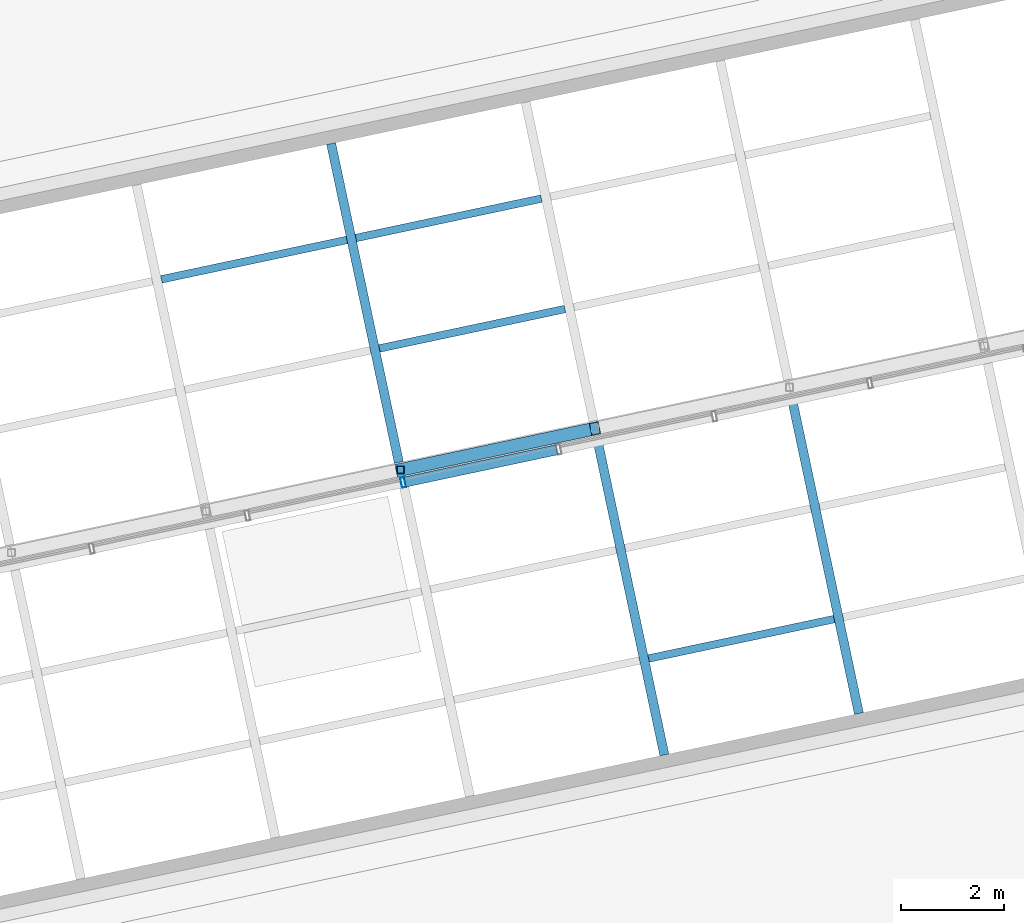
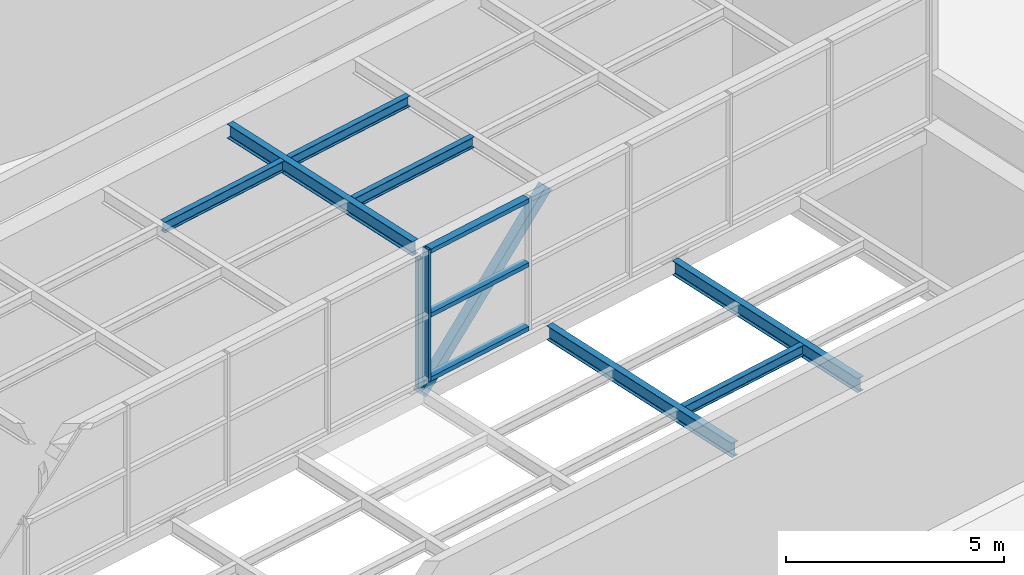
# One storey, part 48 of 72: 10 members, 3 beams, 1 element without a shape of its own.
"""IFC4 building model written with IfcOpenShell, lengths in metres."""

import ifcopenshell
import ifcopenshell.guid

model = None  # the IFC model being written
_history = None  # IfcOwnerHistory: only IFC2X3 demands one
_inside = {}  # id of a spatial element -> (the spatial element, [elements in it])
_under = {}  # id of a project, library or spatial element -> (it, [spatial elements below it])
_declared = {}  # id of a project -> (the project, [libraries it declares])
_typed = {}  # id of a type object -> (the type object, [elements of that type])
_made_of = {}  # id of a material, layer set ... -> (it, [elements and type objects made of it])


def new_model(schema):
    """Start an empty IFC model of exactly this schema.

    Asked for "IFC4X3", IfcOpenShell would pick the latest addendum, in which some entities
    have other attributes; the version numbers below select the first issue.
    IFC2X3 requires an IfcOwnerHistory on every rooted entity: one is made here for all.
    """
    global model, _history
    if schema == "IFC4X3":
        model = ifcopenshell.file(schema_version=(4, 3, 0, 0))
    else:
        model = ifcopenshell.file(schema=schema)
    _inside.clear()
    _under.clear()
    _declared.clear()
    _typed.clear()
    _made_of.clear()
    _history = None
    if model.schema == "IFC2X3":
        org = make("IfcOrganization", Name="unknown")
        user = make(
            "IfcPersonAndOrganization",
            ThePerson=make("IfcPerson", FamilyName="unknown"),
            TheOrganization=org,
        )
        app = make(
            "IfcApplication",
            ApplicationDeveloper=org,
            Version="unknown",
            ApplicationFullName="unknown",
            ApplicationIdentifier="unknown",
        )
        _history = make(
            "IfcOwnerHistory",
            OwningUser=user,
            OwningApplication=app,
            ChangeAction="ADDED",
            CreationDate=0,
        )
    return model


def make(cls, **values):
    """One entity of the class cls with the attributes given. An attribute that is None is left unset."""
    return model.create_entity(
        cls, **{name: value for name, value in values.items() if value is not None}
    )


def rooted(cls, **values):
    """An entity with a GlobalId (a new one), such as an element, a storey or a relation."""
    return make(cls, GlobalId=ifcopenshell.guid.new(), OwnerHistory=_history, **values)


def si_unit(unit_type, name, prefix=None):
    """IfcSIUnit, for example si_unit("LENGTHUNIT", "METRE", prefix="MILLI")."""
    return make("IfcSIUnit", UnitType=unit_type, Prefix=prefix, Name=name)


def assignment(units):
    """IfcUnitAssignment: the units of a project."""
    return None if units is None else make("IfcUnitAssignment", Units=units)


def point(xyz):
    """IfcCartesianPoint."""
    return None if xyz is None else make("IfcCartesianPoint", Coordinates=xyz)


def direction(xyz):
    """IfcDirection."""
    return None if xyz is None else make("IfcDirection", DirectionRatios=xyz)


def frame(location, z_axis=None, x_axis=None):
    """IfcAxis2Placement3D, a coordinate frame: its origin and axes. An axis left out is left unset."""
    return make(
        "IfcAxis2Placement3D",
        Location=point(location),
        Axis=direction(z_axis),
        RefDirection=direction(x_axis),
    )


def frame_2d(location, x_axis=None):
    """IfcAxis2Placement2D, a coordinate frame in the plane: its origin and x axis."""
    return make(
        "IfcAxis2Placement2D", Location=point(location), RefDirection=direction(x_axis)
    )


def origin():
    """The frame at (0, 0, 0) with its axes left unset."""
    return frame((0.0, 0.0, 0.0))


def origin_2d():
    """The frame at (0, 0) in the plane with its x axis left unset."""
    return frame_2d((0.0, 0.0))


def place(relative_to, where):
    """IfcLocalPlacement: puts the frame where relative to a parent placement (None: the world)."""
    return make(
        "IfcLocalPlacement", PlacementRelTo=relative_to, RelativePlacement=where
    )


def context(
    kind, dimensions, precision=None, world=None, true_north=None, identifier=None
):
    """IfcGeometricRepresentationContext, for example the 3D "Model" context."""
    return make(
        "IfcGeometricRepresentationContext",
        ContextIdentifier=identifier,
        ContextType=kind,
        CoordinateSpaceDimension=dimensions,
        Precision=precision,
        WorldCoordinateSystem=world,
        TrueNorth=true_north,
    )


def subcontext(parent, identifier, kind, view, scale=None):
    """IfcGeometricRepresentationSubContext, for example "Body" below "Model"."""
    return make(
        "IfcGeometricRepresentationSubContext",
        ContextIdentifier=identifier,
        ContextType=kind,
        ParentContext=parent,
        TargetScale=scale,
        TargetView=view,
    )


def project(units=None, contexts=None):
    """IfcProject with its units and contexts."""
    return rooted(
        "IfcProject",
        Name="project",
        RepresentationContexts=contexts,
        UnitsInContext=assignment(units),
    )


def spatial(cls, under=None, at=None, **own):
    """A site, building, storey or space (cls), placed at a placement, below another one or the project."""
    s = rooted(cls, ObjectPlacement=at, **own)
    if under is not None:
        _under.setdefault(under.id(), (under, []))[1].append(s)
    return s


def profile(cls, at=None, kind="AREA", **sizes):
    """A parametric profile (cls). Its sizes go by their IFC names, for example OverallWidth=200.0."""
    return make(cls, ProfileType=kind, Position=at, **sizes)


def hollow_rectangle(**sizes):
    """IfcRectangleHollowProfileDef."""
    return profile("IfcRectangleHollowProfileDef", **sizes)


def i_section(**sizes):
    """IfcIShapeProfileDef."""
    return profile("IfcIShapeProfileDef", **sizes)


def extrude(swept, where, along, depth):
    """IfcExtrudedAreaSolid: the profile swept, set in the frame where, extruded along a direction by depth."""
    return make(
        "IfcExtrudedAreaSolid",
        SweptArea=swept,
        Position=where,
        ExtrudedDirection=direction(along),
        Depth=depth,
    )


def shape(context_of_items, identifier, shape_type, items):
    """IfcShapeRepresentation: the items that make up one representation, for example the "Body"."""
    return make(
        "IfcShapeRepresentation",
        ContextOfItems=context_of_items,
        RepresentationIdentifier=identifier,
        RepresentationType=shape_type,
        Items=items,
    )


def material(Name=None, Category=None):
    """IfcMaterial."""
    return make("IfcMaterial", Name=Name, Category=Category)


def layer(
    of_material, thickness, ventilated=None, Name=None, Category=None, Priority=None
):
    """IfcMaterialLayer: one layer of a wall or slab, of a material (None: an air gap)."""
    return make(
        "IfcMaterialLayer",
        Material=of_material,
        LayerThickness=thickness,
        IsVentilated=ventilated,
        Name=Name,
        Category=Category,
        Priority=Priority,
    )


def layer_set(layers, Name=None):
    """IfcMaterialLayerSet."""
    return make("IfcMaterialLayerSet", MaterialLayers=layers, LayerSetName=Name)


def material_profile(
    of_material, cross_section, Name=None, Category=None, Priority=None
):
    """IfcMaterialProfile: a cross section and its material."""
    return make(
        "IfcMaterialProfile",
        Name=Name,
        Material=of_material,
        Profile=cross_section,
        Priority=Priority,
        Category=Category,
    )


def profile_set(profiles, Name=None, composite=None):
    """IfcMaterialProfileSet."""
    return make(
        "IfcMaterialProfileSet",
        Name=Name,
        MaterialProfiles=profiles,
        CompositeProfile=composite,
    )


def made_of(thing, what):
    """Note that an element or type object is made of a material, layer set ...; save() writes the relation."""
    if what is not None:
        _made_of.setdefault(what.id(), (what, []))[1].append(thing)
    return thing


def type_object(cls, material=None, **own):
    """A type object (cls), such as IfcWallType, which elements share."""
    return made_of(rooted(cls, **own), material)


def element(
    cls,
    number,
    at=None,
    inside=None,
    cuts=None,
    type_object=None,
    material=None,
    context=None,
    identifier="Body",
    shape_type=None,
    held_by="IfcProductDefinitionShape",
    body=None,
    shapes=None,
    **own,
):
    """One element of the class cls, such as IfcWall. Its Tag is "e" and its number.

    at: its placement. inside: the storey or other place that contains it. cuts: it is an
    opening in that element (IfcRelVoidsElement). A single representation is given by context,
    identifier, shape_type and body (its items); several are given by shapes. held_by: the class
    of the entity that holds the representations. save() writes the other relations.
    """
    e = rooted(cls, Tag="e%d" % number, ObjectPlacement=at, **own)
    if body is not None:
        shapes = [shape(context, identifier, shape_type, body)]
    if shapes is not None:
        e.Representation = make(held_by, Representations=shapes)
    if inside is not None:
        _inside.setdefault(inside.id(), (inside, []))[1].append(e)
    if cuts is not None:
        rooted(
            "IfcRelVoidsElement", RelatingBuildingElement=cuts, RelatedOpeningElement=e
        )
    if type_object is not None:
        _typed.setdefault(type_object.id(), (type_object, []))[1].append(e)
    return made_of(e, material)


def aggregate(whole, parts):
    """IfcRelAggregates: a whole, such as a stair, and the parts it consists of."""
    return rooted("IfcRelAggregates", RelatingObject=whole, RelatedObjects=parts)


def save(model, path):
    """Write the relations noted so far, then the file.

    IfcRelAggregates (storeys below a building ...), IfcRelContainedInSpatialStructure (elements
    in a storey), IfcRelDefinesByType, IfcRelAssociatesMaterial and IfcRelDeclares: one each for
    every whole, place, type object, material and project.
    """
    for whole, parts in _under.values():
        aggregate(whole, parts)
    for where, things in _inside.values():
        rooted(
            "IfcRelContainedInSpatialStructure",
            RelatedElements=things,
            RelatingStructure=where,
        )
    for kind, things in _typed.values():
        rooted("IfcRelDefinesByType", RelatedObjects=things, RelatingType=kind)
    for what, things in _made_of.values():
        rooted("IfcRelAssociatesMaterial", RelatedObjects=things, RelatingMaterial=what)
    for by, libraries in _declared.values():
        rooted("IfcRelDeclares", RelatingContext=by, RelatedDefinitions=libraries)
    model.write(path)


model = new_model("IFC4")

# Units and contexts
model_context = context("Model", 3, precision=1e-05, world=origin(), true_north=direction((0.0, 1.0)))
body_context = subcontext(model_context, "Body", "Model", "MODEL_VIEW")
ifc_project = project(units=[si_unit("LENGTHUNIT", "METRE"), si_unit("AREAUNIT", "SQUARE_METRE"), si_unit("VOLUMEUNIT", "CUBIC_METRE"), si_unit("PLANEANGLEUNIT", "RADIAN"), si_unit("MASSUNIT", "GRAM", prefix="KILO")], contexts=[model_context])

# Site, building, storey
site_placement = place(None, origin())
site = spatial("IfcSite", under=ifc_project, at=site_placement, CompositionType="ELEMENT")
building_placement = place(site_placement, origin())
building = spatial("IfcBuilding", under=site, at=building_placement, Name="Nzadi Deep Aquarium and Research Tower", CompositionType="ELEMENT")
storey_placement = place(building_placement, frame((0.0, 0.0, 31.89990234375)))
storey = spatial("IfcBuildingStorey", under=building, at=storey_placement, Name="L05", CompositionType="ELEMENT", Elevation=31.89990234375)

# Members
ifc_material_1 = material(Name="Steel S355", Category="steel")
ifc_material_profile_1 = material_profile(ifc_material_1, i_section(OverallWidth=0.14990234375, OverallDepth=0.300048828125, WebThickness=0.007080078125, FlangeThickness=0.0107421875, FilletRadius=0.014892578125, at=origin_2d()))
ifc_profile_set_1 = profile_set([ifc_material_profile_1], Name="Steel S355")
member_type_1 = type_object("IfcMemberType", Name="IPE 300", PredefinedType="PURLIN", material=ifc_profile_set_1)
for number, where, z_axis, x_axis, name in (
    (1, (33.634765625, 109.52490234375, 4.650146484375), (0.978143399265, 0.207931456193, 0.0), (-0.207931456193, 0.978143399265, 0.0), "MB-BL-ROOF-SPU1-5"),
    (2, (28.38916015625, 115.566162109375, 8.650146484375), (0.978143399265, 0.207931456193, 0.0), (-0.207931456193, 0.978143399265, 0.0), "MB-BL-ROOF-NPU1-4"),
    (3, (24.141357421875, 116.91259765625, 8.650146484375), (0.978156835764, 0.207868238673, 0.0), (-0.207868238673, 0.978156835764, 0.0), "MB-BL-ROOF-NPU2-3"),
    (4, (27.931640625, 117.71826171875, 8.650146484375), (0.978156835764, 0.207868238673, 0.0), (-0.207868238673, 0.978156835764, 0.0), "MB-BL-ROOF-NPU2-4"),
):
    element("IfcMember", number, at=place(storey_placement, frame(where, z_axis=z_axis, x_axis=x_axis)), inside=storey, type_object=member_type_1, Name=name, PredefinedType="PURLIN", context=body_context, shape_type="SweptSolid", body=[
        extrude(i_section(OverallWidth=0.14990234375, OverallDepth=0.300048828125, WebThickness=0.007080078125, FlangeThickness=0.0107421875, FilletRadius=0.014892578125, at=origin_2d()), origin(), (0.0, 0.0, 1.0), 3.695068359375),
    ])

# Beams
ifc_material_2 = material(Name="Steel S355", Category="steel")
ifc_material_profile_2 = material_profile(ifc_material_2, i_section(OverallWidth=0.179931640625, OverallDepth=0.39990234375, WebThickness=0.008544921875, FlangeThickness=0.013427734375, FilletRadius=0.02099609375, at=origin_2d()))
ifc_profile_set_2 = profile_set([ifc_material_profile_2], Name="Steel S355")
beam_type = type_object("IfcBeamType", Name="IPE 400", PredefinedType="BEAM", material=ifc_profile_set_2)
for number, where, z_axis, x_axis, name in (
    (5, (28.768798828125, 113.3466796875, 8.60009765625), (-0.207924511115, 0.978144875608, 0.0), (-0.978144875608, -0.207924511115, 0.0), "B-BL-ROOF-H4"),
    (6, (33.941650390625, 107.647705078125, 4.60009765625), (-0.207887725283, 0.978152694459, 0.0), (-0.978152694459, -0.207887725283, 0.0), "B-BL-ROOF-G5"),
    (7, (37.732177734375, 108.453369140625, 4.60009765625), (-0.207924511115, 0.978144875608, 0.0), (-0.978144875608, -0.207924511115, 0.0), "B-BL-ROOF-G6"),
):
    element("IfcBeam", number, at=place(storey_placement, frame(where, z_axis=z_axis, x_axis=x_axis)), inside=storey, type_object=beam_type, Name=name, PredefinedType="BEAM", context=body_context, shape_type="SweptSolid", body=[
        extrude(i_section(OverallWidth=0.179931640625, OverallDepth=0.39990234375, WebThickness=0.008544921875, FlangeThickness=0.013427734375, FilletRadius=0.02099609375, at=origin_2d()), origin(), (0.0, 0.0, 1.0), 6.349853515625),
    ])

# Curtain wall, member
ifc_material_3 = material(Name="Aluminium glazing frame tall", Category="aluminium")
ifc_layer = layer(ifc_material_3, 0.199951171875)
ifc_layer_set = layer_set([ifc_layer], Name="Aluminium glazing frame tall")
curtain_wall_type = type_object("IfcCurtainWallType", Name="Curtain wall Clerestory Tall 200", PredefinedType="NOTDEFINED", material=ifc_layer_set)
curtain_wall_placement = place(storey_placement, origin())
curtain_wall = element("IfcCurtainWall", 8, at=curtain_wall_placement, inside=storey, type_object=curtain_wall_type, Name="Reef blade clerestory glazing", PredefinedType="NOTDEFINED")
ifc_material_4 = material(Name="Aluminium glazing frame tall", Category="aluminium")
ifc_material_profile_3 = material_profile(ifc_material_4, hollow_rectangle(XDim=0.199951171875, YDim=0.080078125, WallThickness=0.0048828125, at=origin_2d()))
ifc_profile_set_3 = profile_set([ifc_material_profile_3], Name="Aluminium glazing frame tall")
member_type_2 = type_object("IfcMemberType", Name="Mullion 80x200 Clerestory Tall", PredefinedType="MULLION", material=ifc_profile_set_3)
member_1_placement = place(storey_placement, frame((28.85205078125, 112.95556640625, 5.10009765625), z_axis=(0.0, 0.0, 1.0), x_axis=(-0.207911690818, 0.978147600734, 0.0)))
member_1 = element("IfcMember", 9, at=member_1_placement, type_object=member_type_2, Name="CW258 mullion 6", PredefinedType="MULLION", context=body_context, shape_type="SweptSolid", body=[
    extrude(hollow_rectangle(XDim=0.199951171875, YDim=0.080078125, WallThickness=0.0048828125, at=origin_2d()), origin(), (0.0, 0.0, 1.0), 3.699951171875),
])

# Members
ifc_material_5 = material(Name="Steel S355", Category="steel")
ifc_material_profile_4 = material_profile(ifc_material_5, hollow_rectangle(XDim=0.14990234375, YDim=0.14990234375, WallThickness=0.008056640625, at=origin_2d()))
ifc_profile_set_4 = profile_set([ifc_material_profile_4], Name="Steel S355")
member_type_3 = type_object("IfcMemberType", Name="RHS 150x150x8 post", PredefinedType="POST", material=ifc_profile_set_4)
member_2_placement = place(storey_placement, frame((28.800048828125, 113.199951171875, 4.800048828125), z_axis=(0.0, 0.0, 1.0), x_axis=(1.0, 0.0, 0.0)))
element("IfcMember", 10, at=member_2_placement, inside=storey, type_object=member_type_3, Name="MB-BL-STEP-V4", PredefinedType="POST", context=body_context, shape_type="SweptSolid", body=[
    extrude(hollow_rectangle(XDim=0.14990234375, YDim=0.14990234375, WallThickness=0.008056640625, at=origin_2d()), origin(), (0.0, 0.0, 1.0), 3.60009765625),
])
ifc_material_6 = material(Name="Steel S355", Category="steel")
ifc_material_profile_5 = material_profile(ifc_material_6, hollow_rectangle(XDim=0.25, YDim=0.25, WallThickness=0.010009765625, at=origin_2d()))
ifc_profile_set_5 = profile_set([ifc_material_profile_5], Name="Steel S355")
member_type_4 = type_object("IfcMemberType", Name="RHS 250x250x10 brace", PredefinedType="BRACE", material=ifc_profile_set_5)
member_3_placement = place(storey_placement, frame((28.800048828125, 113.199951171875, 4.60009765625), z_axis=(0.680586575277, 0.14466574547, 0.718243507204), x_axis=(-0.207915270313, 0.978146839882, 0.0)))
element("IfcMember", 11, at=member_3_placement, inside=storey, type_object=member_type_4, Name="MB-BL-STEP-D5", PredefinedType="BRACE", context=body_context, shape_type="SweptSolid", body=[
    extrude(hollow_rectangle(XDim=0.25, YDim=0.25, WallThickness=0.010009765625, at=origin_2d()), origin(), (0.0, 0.0, 1.0), 5.569091796875),
])

# Member
ifc_material_7 = material(Name="Aluminium glazing frame tall", Category="aluminium")
ifc_material_profile_6 = material_profile(ifc_material_7, hollow_rectangle(XDim=0.199951171875, YDim=0.1201171875, WallThickness=0.0048828125, at=origin_2d()))
ifc_profile_set_6 = profile_set([ifc_material_profile_6], Name="Aluminium glazing frame tall")
member_type_5 = type_object("IfcMemberType", Name="Transom 120x200 Clerestory Tall", PredefinedType="MULLION", material=ifc_profile_set_6)
member_4_placement = place(storey_placement, frame((28.89111328125, 112.9638671875, 5.16015625), z_axis=(0.978162959797, 0.207839418978, 0.0), x_axis=(-0.207839418978, 0.978162959797, 0.0)))
member_4 = element("IfcMember", 12, at=member_4_placement, type_object=member_type_5, Name="CW258 transom 6.1", PredefinedType="MULLION", context=body_context, shape_type="SweptSolid", body=[
    extrude(hollow_rectangle(XDim=0.199951171875, YDim=0.1201171875, WallThickness=0.0048828125, at=origin_2d()), origin(), (0.0, 0.0, 1.0), 3.02001953125),
])

member_5_placement = place(storey_placement, frame((28.89111328125, 112.9638671875, 6.9501953125), z_axis=(0.978162959797, 0.207839418978, 0.0), x_axis=(-0.207839418978, 0.978162959797, 0.0)))
member_5 = element("IfcMember", 13, at=member_5_placement, type_object=member_type_5, Name="CW258 transom 6.2", PredefinedType="MULLION", context=body_context, shape_type="SweptSolid", body=[
    extrude(hollow_rectangle(XDim=0.199951171875, YDim=0.1201171875, WallThickness=0.0048828125, at=origin_2d()), origin(), (0.0, 0.0, 1.0), 3.02001953125),
])

member_6_placement = place(storey_placement, frame((28.89111328125, 112.9638671875, 8.739990234375), z_axis=(0.978162959797, 0.207839418978, 0.0), x_axis=(-0.207839418978, 0.978162959797, 0.0)))
member_6 = element("IfcMember", 14, at=member_6_placement, type_object=member_type_5, Name="CW258 transom 6.3", PredefinedType="MULLION", context=body_context, shape_type="SweptSolid", body=[
    extrude(hollow_rectangle(XDim=0.199951171875, YDim=0.1201171875, WallThickness=0.0048828125, at=origin_2d()), origin(), (0.0, 0.0, 1.0), 3.02001953125),
])

aggregate(curtain_wall, [member_1, member_4, member_5, member_6])

save(model, "model.ifc")
